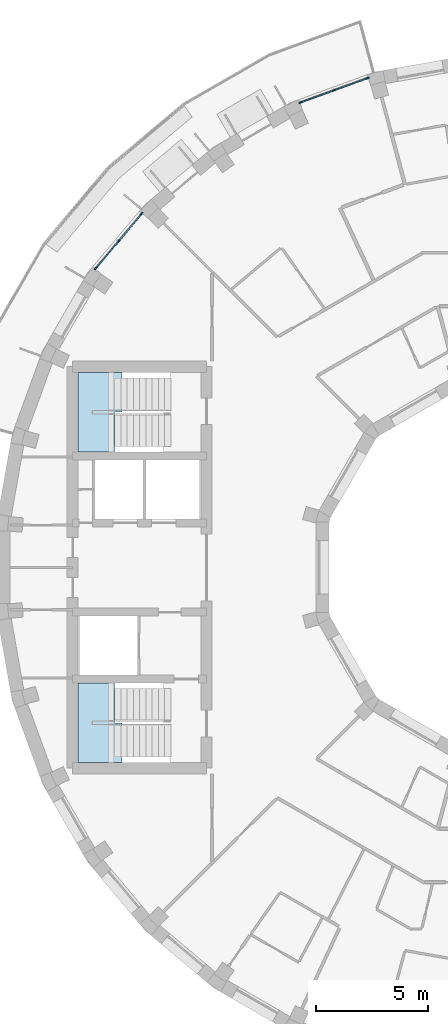
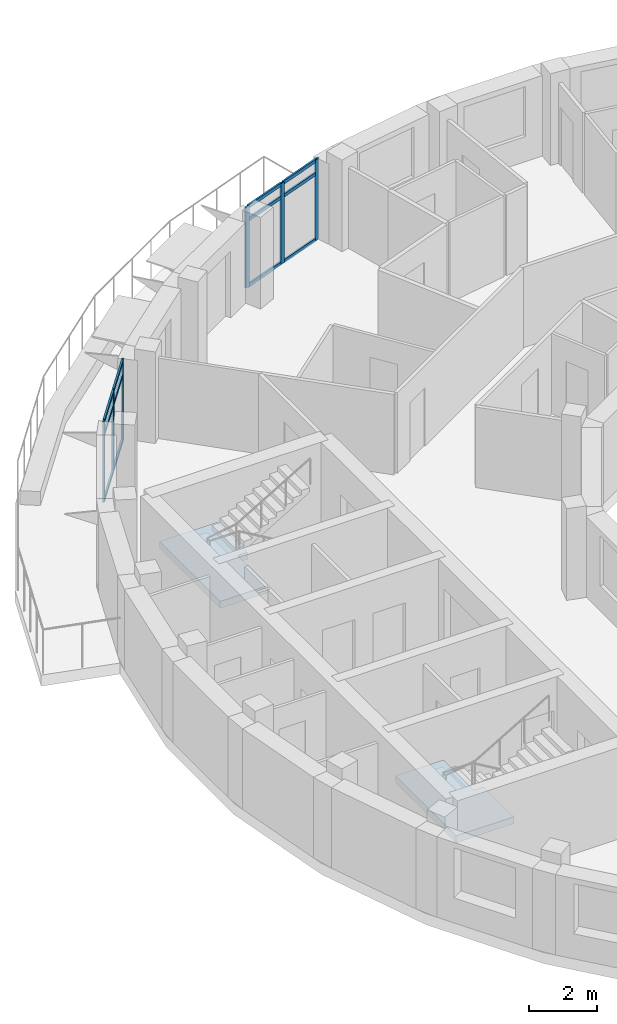
# One storey, part 2 of 12: 18 members, 2 slabs, 4 elements without a shape of their own.
"""IFC4 building model written with IfcOpenShell, lengths in metres."""

from ifc_helpers import new_model, si_unit, direction, frame, origin, origin_2d, place, context, subcontext, project, spatial, polyline, rectangle, outline, extrude, material, layer, layer_set, material_profile, profile_set, type_object, element, aggregate, save


model = new_model("IFC4")

# Units and contexts
model_context = context("Model", 3, precision=1e-05, world=origin(), true_north=direction((0.0, 1.0)))
body_context = subcontext(model_context, "Body", "Model", "MODEL_VIEW")
ifc_project = project(units=[si_unit("LENGTHUNIT", "METRE"), si_unit("AREAUNIT", "SQUARE_METRE"), si_unit("VOLUMEUNIT", "CUBIC_METRE"), si_unit("PLANEANGLEUNIT", "RADIAN"), si_unit("MASSUNIT", "GRAM", prefix="KILO")], contexts=[model_context])

# Site, building, storey
site_placement = place(None, origin())
site = spatial("IfcSite", under=ifc_project, at=site_placement, CompositionType="ELEMENT")
building_placement = place(site_placement, origin())
building = spatial("IfcBuilding", under=site, at=building_placement, Name="Saqina Gate Tower", CompositionType="ELEMENT")
storey_placement = place(building_placement, frame((0.0, 0.0, 233.0)))
storey = spatial("IfcBuildingStorey", under=building, at=storey_placement, Name="L66", CompositionType="ELEMENT", Elevation=233.0)

# Curtain wall, members
ifc_material_1 = material(Name="Aluminium glazing", Category="aluminium")
ifc_layer_1 = layer(ifc_material_1, 0.159912109375)
ifc_layer_set_1 = layer_set([ifc_layer_1], Name="CWT-4")
curtain_wall_type = type_object("IfcCurtainWallType", Name="CWT-4", PredefinedType="NOTDEFINED", material=ifc_layer_set_1)
curtain_wall_1_placement = place(storey_placement, origin())
curtain_wall_1 = element("IfcCurtainWall", 1, at=curtain_wall_1_placement, inside=storey, type_object=curtain_wall_type, Name="Terrace lounge glazing facet 11", PredefinedType="NOTDEFINED")
ifc_material_2 = material(Name="Aluminium", Category="aluminium")
ifc_material_profile_1 = material_profile(ifc_material_2, rectangle(XDim=0.06005859375, YDim=0.159912109375, at=origin_2d()), Name="Aluminium 60x160")
ifc_profile_set_1 = profile_set([ifc_material_profile_1], Name="Aluminium")
member_type_1 = type_object("IfcMemberType", Name="CWT-4M", PredefinedType="MULLION", material=ifc_profile_set_1)
member_1_placement = place(storey_placement, frame((-6.28564453125, 21.935546875, 0.0), z_axis=(0.0, 0.0, 1.0), x_axis=(0.342007258437, -0.939697310402, 0.0)))
member_1 = element("IfcMember", 2, at=member_1_placement, type_object=member_type_1, Name="CW4-11 mullion 1", PredefinedType="MULLION", context=body_context, shape_type="SweptSolid", body=[
    extrude(rectangle(XDim=0.06005859375, YDim=0.159912109375, at=origin_2d()), origin(), (0.0, 0.0, 1.0), 2.89990234375),
])
member_2_placement = place(storey_placement, frame((-7.78515625, 21.3896484375, 0.0), z_axis=(0.0, 0.0, 1.0), x_axis=(0.342007258437, -0.939697310402, 0.0)))
member_2 = element("IfcMember", 3, at=member_2_placement, type_object=member_type_1, Name="CW4-11 mullion 2", PredefinedType="MULLION", context=body_context, shape_type="SweptSolid", body=[
    extrude(rectangle(XDim=0.06005859375, YDim=0.159912109375, at=origin_2d()), origin(), (0.0, 0.0, 1.0), 2.89990234375),
])
member_3_placement = place(storey_placement, frame((-9.284912109375, 20.843994140625, 0.0), z_axis=(0.0, 0.0, 1.0), x_axis=(0.342007258437, -0.939697310402, 0.0)))
member_3 = element("IfcMember", 4, at=member_3_placement, type_object=member_type_1, Name="CW4-11 mullion 3", PredefinedType="MULLION", context=body_context, shape_type="SweptSolid", body=[
    extrude(rectangle(XDim=0.06005859375, YDim=0.159912109375, at=origin_2d()), origin(), (0.0, 0.0, 1.0), 2.89990234375),
])

curtain_wall_2_placement = place(storey_placement, origin())
curtain_wall_2 = element("IfcCurtainWall", 5, at=curtain_wall_2_placement, inside=storey, type_object=curtain_wall_type, Name="Terrace lounge glazing facet 14", PredefinedType="NOTDEFINED")
member_4_placement = place(storey_placement, frame((-16.411376953125, 15.85400390625, 0.0), z_axis=(0.0, 0.0, 1.0), x_axis=(0.766046452821, -0.642785214609, 0.0)))
member_4 = element("IfcMember", 6, at=member_4_placement, type_object=member_type_1, Name="CW4-14 mullion 1", PredefinedType="MULLION", context=body_context, shape_type="SweptSolid", body=[
    extrude(rectangle(XDim=0.06005859375, YDim=0.159912109375, at=origin_2d()), origin(), (0.0, 0.0, 1.0), 2.89990234375),
])
member_5_placement = place(storey_placement, frame((-17.43701171875, 14.63134765625, 0.0), z_axis=(0.0, 0.0, 1.0), x_axis=(0.766046452821, -0.642785214609, 0.0)))
member_5 = element("IfcMember", 7, at=member_5_placement, type_object=member_type_1, Name="CW4-14 mullion 2", PredefinedType="MULLION", context=body_context, shape_type="SweptSolid", body=[
    extrude(rectangle(XDim=0.06005859375, YDim=0.159912109375, at=origin_2d()), origin(), (0.0, 0.0, 1.0), 2.89990234375),
])
member_6_placement = place(storey_placement, frame((-18.462890625, 13.408935546875, 0.0), z_axis=(0.0, 0.0, 1.0), x_axis=(0.766046452821, -0.642785214609, 0.0)))
member_6 = element("IfcMember", 8, at=member_6_placement, type_object=member_type_1, Name="CW4-14 mullion 3", PredefinedType="MULLION", context=body_context, shape_type="SweptSolid", body=[
    extrude(rectangle(XDim=0.06005859375, YDim=0.159912109375, at=origin_2d()), origin(), (0.0, 0.0, 1.0), 2.89990234375),
])

# Member
ifc_material_3 = material(Name="Aluminium", Category="aluminium")
ifc_material_profile_2 = material_profile(ifc_material_3, rectangle(XDim=0.06005859375, YDim=0.1201171875, at=origin_2d()), Name="Aluminium 60x120")
ifc_profile_set_2 = profile_set([ifc_material_profile_2], Name="Aluminium")
member_type_2 = type_object("IfcMemberType", Name="CWT-4T", PredefinedType="USERDEFINED", material=ifc_profile_set_2)
member_7_placement = place(storey_placement, frame((-6.313720703125, 21.92529296875, 0.030029296875), z_axis=(-0.939681996159, -0.342049332837, 0.0), x_axis=(0.342049332837, -0.939681996159, 0.0)))
member_7 = element("IfcMember", 9, at=member_7_placement, type_object=member_type_2, Name="CW4-11 transom 1.1", ObjectType="TRANSOM", PredefinedType="USERDEFINED", context=body_context, shape_type="SweptSolid", body=[
    extrude(rectangle(XDim=0.06005859375, YDim=0.1201171875, at=origin_2d()), origin(), (0.0, 0.0, 1.0), 1.535888671875),
])

member_8_placement = place(storey_placement, frame((-6.313720703125, 21.92529296875, 2.39990234375), z_axis=(-0.939681996159, -0.342049332837, 0.0), x_axis=(0.342049332837, -0.939681996159, 0.0)))
member_8 = element("IfcMember", 10, at=member_8_placement, type_object=member_type_2, Name="CW4-11 transom 1.2", ObjectType="TRANSOM", PredefinedType="USERDEFINED", context=body_context, shape_type="SweptSolid", body=[
    extrude(rectangle(XDim=0.06005859375, YDim=0.1201171875, at=origin_2d()), origin(), (0.0, 0.0, 1.0), 1.535888671875),
])

member_9_placement = place(storey_placement, frame((-6.313720703125, 21.92529296875, 2.8701171875), z_axis=(-0.939681996159, -0.342049332837, 0.0), x_axis=(0.342049332837, -0.939681996159, 0.0)))
member_9 = element("IfcMember", 11, at=member_9_placement, type_object=member_type_2, Name="CW4-11 transom 1.3", ObjectType="TRANSOM", PredefinedType="USERDEFINED", context=body_context, shape_type="SweptSolid", body=[
    extrude(rectangle(XDim=0.06005859375, YDim=0.1201171875, at=origin_2d()), origin(), (0.0, 0.0, 1.0), 1.535888671875),
])

member_10_placement = place(storey_placement, frame((-7.8134765625, 21.37939453125, 0.030029296875), z_axis=(-0.939714490023, -0.341960052113, 0.0), x_axis=(0.341960052113, -0.939714490023, 0.0)))
member_10 = element("IfcMember", 12, at=member_10_placement, type_object=member_type_2, Name="CW4-11 transom 2.1", ObjectType="TRANSOM", PredefinedType="USERDEFINED", context=body_context, shape_type="SweptSolid", body=[
    extrude(rectangle(XDim=0.06005859375, YDim=0.1201171875, at=origin_2d()), origin(), (0.0, 0.0, 1.0), 1.53564453125),
])

member_11_placement = place(storey_placement, frame((-7.8134765625, 21.37939453125, 2.39990234375), z_axis=(-0.939714490023, -0.341960052113, 0.0), x_axis=(0.341960052113, -0.939714490023, 0.0)))
member_11 = element("IfcMember", 13, at=member_11_placement, type_object=member_type_2, Name="CW4-11 transom 2.2", ObjectType="TRANSOM", PredefinedType="USERDEFINED", context=body_context, shape_type="SweptSolid", body=[
    extrude(rectangle(XDim=0.06005859375, YDim=0.1201171875, at=origin_2d()), origin(), (0.0, 0.0, 1.0), 1.53564453125),
])

member_12_placement = place(storey_placement, frame((-7.8134765625, 21.37939453125, 2.8701171875), z_axis=(-0.939714490023, -0.341960052113, 0.0), x_axis=(0.341960052113, -0.939714490023, 0.0)))
member_12 = element("IfcMember", 14, at=member_12_placement, type_object=member_type_2, Name="CW4-11 transom 2.3", ObjectType="TRANSOM", PredefinedType="USERDEFINED", context=body_context, shape_type="SweptSolid", body=[
    extrude(rectangle(XDim=0.06005859375, YDim=0.1201171875, at=origin_2d()), origin(), (0.0, 0.0, 1.0), 1.53564453125),
])

aggregate(curtain_wall_1, [member_1, member_2, member_3, member_7, member_8, member_9, member_10, member_11, member_12])

member_13_placement = place(storey_placement, frame((-16.4306640625, 15.8310546875, 0.030029296875), z_axis=(-0.642729663657, -0.766093061876, 0.0), x_axis=(0.766093061876, -0.642729663657, 0.0)))
member_13 = element("IfcMember", 15, at=member_13_placement, type_object=member_type_2, Name="CW4-14 transom 1.1", ObjectType="TRANSOM", PredefinedType="USERDEFINED", context=body_context, shape_type="SweptSolid", body=[
    extrude(rectangle(XDim=0.06005859375, YDim=0.1201171875, at=origin_2d()), origin(), (0.0, 0.0, 1.0), 1.53564453125),
])

member_14_placement = place(storey_placement, frame((-16.4306640625, 15.8310546875, 2.39990234375), z_axis=(-0.642729663657, -0.766093061876, 0.0), x_axis=(0.766093061876, -0.642729663657, 0.0)))
member_14 = element("IfcMember", 16, at=member_14_placement, type_object=member_type_2, Name="CW4-14 transom 1.2", ObjectType="TRANSOM", PredefinedType="USERDEFINED", context=body_context, shape_type="SweptSolid", body=[
    extrude(rectangle(XDim=0.06005859375, YDim=0.1201171875, at=origin_2d()), origin(), (0.0, 0.0, 1.0), 1.53564453125),
])

member_15_placement = place(storey_placement, frame((-16.4306640625, 15.8310546875, 2.8701171875), z_axis=(-0.642729663657, -0.766093061876, 0.0), x_axis=(0.766093061876, -0.642729663657, 0.0)))
member_15 = element("IfcMember", 17, at=member_15_placement, type_object=member_type_2, Name="CW4-14 transom 1.3", ObjectType="TRANSOM", PredefinedType="USERDEFINED", context=body_context, shape_type="SweptSolid", body=[
    extrude(rectangle(XDim=0.06005859375, YDim=0.1201171875, at=origin_2d()), origin(), (0.0, 0.0, 1.0), 1.53564453125),
])

member_16_placement = place(storey_placement, frame((-17.456298828125, 14.6083984375, 0.030029296875), z_axis=(-0.642822950652, -0.766014787139, 0.0), x_axis=(0.766014787139, -0.642822950652, 0.0)))
member_16 = element("IfcMember", 18, at=member_16_placement, type_object=member_type_2, Name="CW4-14 transom 2.1", ObjectType="TRANSOM", PredefinedType="USERDEFINED", context=body_context, shape_type="SweptSolid", body=[
    extrude(rectangle(XDim=0.06005859375, YDim=0.1201171875, at=origin_2d()), origin(), (0.0, 0.0, 1.0), 1.535888671875),
])

member_17_placement = place(storey_placement, frame((-17.456298828125, 14.6083984375, 2.39990234375), z_axis=(-0.642822950652, -0.766014787139, 0.0), x_axis=(0.766014787139, -0.642822950652, 0.0)))
member_17 = element("IfcMember", 19, at=member_17_placement, type_object=member_type_2, Name="CW4-14 transom 2.2", ObjectType="TRANSOM", PredefinedType="USERDEFINED", context=body_context, shape_type="SweptSolid", body=[
    extrude(rectangle(XDim=0.06005859375, YDim=0.1201171875, at=origin_2d()), origin(), (0.0, 0.0, 1.0), 1.535888671875),
])

member_18_placement = place(storey_placement, frame((-17.456298828125, 14.6083984375, 2.8701171875), z_axis=(-0.642822950652, -0.766014787139, 0.0), x_axis=(0.766014787139, -0.642822950652, 0.0)))
member_18 = element("IfcMember", 20, at=member_18_placement, type_object=member_type_2, Name="CW4-14 transom 2.3", ObjectType="TRANSOM", PredefinedType="USERDEFINED", context=body_context, shape_type="SweptSolid", body=[
    extrude(rectangle(XDim=0.06005859375, YDim=0.1201171875, at=origin_2d()), origin(), (0.0, 0.0, 1.0), 1.535888671875),
])

aggregate(curtain_wall_2, [member_4, member_5, member_6, member_13, member_14, member_15, member_16, member_17, member_18])

# Stair, slab
ifc_material_4 = material(Name="Concrete C40/50", Category="concrete")
stair_type = type_object("IfcStairType", Name="EXIT STAIR", PredefinedType="HALF_TURN_STAIR", material=ifc_material_4)
stair_1_placement = place(storey_placement, origin())
stair_1 = element("IfcStair", 21, at=stair_1_placement, inside=storey, type_object=stair_type, Name="EXIT STAIR 3", PredefinedType="HALF_TURN_STAIR")
ifc_material_5 = material(Name="Concrete C40/50", Category="concrete")
ifc_layer_2 = layer(ifc_material_5, 0.25)
ifc_layer_set_2 = layer_set([ifc_layer_2], Name="Concrete C40/50")
slab_type = type_object("IfcSlabType", Name="EXIT STAIR LANDING", PredefinedType="LANDING", material=ifc_layer_set_2)
slab_1_placement = place(storey_placement, frame((0.0, 0.0, 1.39990234375)))
slab_1 = element("IfcSlab", 22, at=slab_1_placement, type_object=slab_type, Name="EXIT STAIR 3 LANDING 1", PredefinedType="LANDING", context=body_context, shape_type="SweptSolid", body=[
    extrude(outline(polyline([(-17.614990234375, 5.175048828125), (-19.25, 5.175048828125), (-19.25, 8.75), (-17.6201171875, 8.75), (-17.614990234375, 8.75), (-17.284423828125, 8.75), (-17.284423828125, 6.96240234375), (-17.614990234375, 6.96240234375), (-17.614990234375, 5.175048828125)])), origin(), (0.0, 0.0, 1.0), 0.25),
])
aggregate(stair_1, [slab_1])

stair_2_placement = place(storey_placement, origin())
stair_2 = element("IfcStair", 23, at=stair_2_placement, inside=storey, type_object=stair_type, Name="EXIT STAIR 4", PredefinedType="HALF_TURN_STAIR")
slab_2_placement = place(storey_placement, frame((0.0, 0.0, 1.39990234375)))
slab_2 = element("IfcSlab", 24, at=slab_2_placement, type_object=slab_type, Name="EXIT STAIR 4 LANDING 1", PredefinedType="LANDING", context=body_context, shape_type="SweptSolid", body=[
    extrude(outline(polyline([(-17.284423828125, -6.96240234375), (-17.284423828125, -8.75), (-17.614990234375, -8.75), (-17.6201171875, -8.75), (-19.25, -8.75), (-19.25, -5.175048828125), (-17.614990234375, -5.175048828125), (-17.614990234375, -6.96240234375), (-17.284423828125, -6.96240234375)])), origin(), (0.0, 0.0, 1.0), 0.25),
])
aggregate(stair_2, [slab_2])

save(model, "model.ifc")
